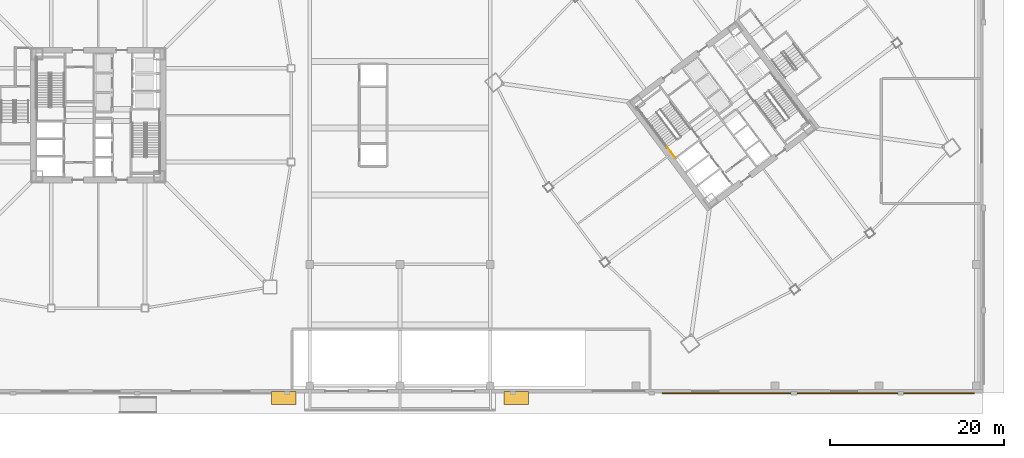
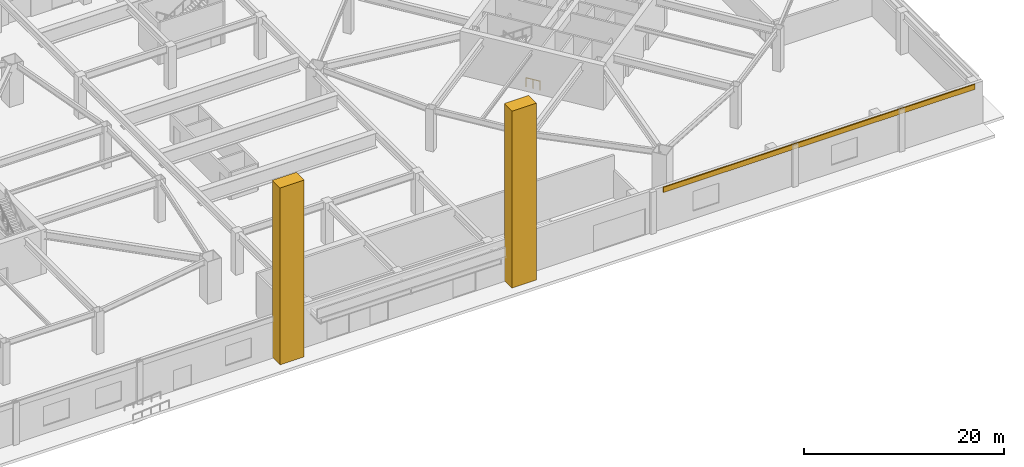
# One storey, part 22 of 26: 3 coverings, 1 railing.
"""IFC4 building model written with IfcOpenShell, lengths in metres."""

from ifc_helpers import new_model, si_unit, direction, frame, origin, origin_2d, place, context, subcontext, project, spatial, rectangle, extrude, material, layer, layer_set, type_object, element, save


model = new_model("IFC4")

# Units and contexts
model_context = context("Model", 3, precision=1e-05, world=origin(), true_north=direction((0.0, 1.0)))
body_context = subcontext(model_context, "Body", "Model", "MODEL_VIEW")
ifc_project = project(units=[si_unit("LENGTHUNIT", "METRE"), si_unit("AREAUNIT", "SQUARE_METRE"), si_unit("VOLUMEUNIT", "CUBIC_METRE"), si_unit("PLANEANGLEUNIT", "RADIAN"), si_unit("MASSUNIT", "GRAM", prefix="KILO")], contexts=[model_context])

# Site, building, storey
site_placement = place(None, origin())
site = spatial("IfcSite", under=ifc_project, at=site_placement, CompositionType="ELEMENT")
building_placement = place(site_placement, origin())
building = spatial("IfcBuilding", under=site, at=building_placement, Name="Tashvorn Skyway Center", CompositionType="ELEMENT")
storey_placement = place(building_placement, origin())
storey = spatial("IfcBuildingStorey", under=building, at=storey_placement, Name="L00", CompositionType="ELEMENT", Elevation=0.0)

# Coverings
ifc_material_1 = material(Name="Precast concrete C40/50", Category="concrete")
ifc_layer = layer(ifc_material_1, 0.35009765625)
ifc_layer_set = layer_set([ifc_layer], Name="Precast concrete C40/50")
covering_type = type_object("IfcCoveringType", Name="COV-STONE-TRIM", PredefinedType="CLADDING", material=ifc_layer_set)
covering_placement = place(storey_placement, frame((125.0, -0.0400390625, 4.52001953125), z_axis=(0.0, 0.0, 1.0), x_axis=(1.0, 0.0, 0.0)))
element("IfcCovering", 1, at=covering_placement, inside=storey, type_object=covering_type, Name="L00 Mojave Limestone Entablature Band S2", PredefinedType="CLADDING", context=body_context, shape_type="SweptSolid", body=[
    extrude(rectangle(XDim=36.0, YDim=0.139892578125, at=origin_2d()), origin(), (0.0, 0.0, 1.0), 0.6201171875),
])
for number, where, z_axis, x_axis, name in (
    (2, (63.39990234375, -0.60009765625, 0.0), (0.0, 0.0, 1.0), (1.0, 0.0, 0.0), "Postmodern Station Portal Limestone Pylon SOUTH 1"),
    (3, (90.199951171875, -0.60009765625, 0.0), (0.0, 0.0, 1.0), (1.0, 0.0, 0.0), "Postmodern Station Portal Limestone Pylon SOUTH 2"),
):
    element("IfcCovering", number, at=place(storey_placement, frame(where, z_axis=z_axis, x_axis=x_axis)), inside=storey, type_object=covering_type, Name=name, PredefinedType="CLADDING", context=body_context, shape_type="SweptSolid", body=[
        extrude(rectangle(XDim=2.800048828125, YDim=1.550048828125, at=origin_2d()), origin(), (0.0, 0.0, 1.0), 21.60009765625),
    ])

# Railing
ifc_material_2 = material(Name="Painted galvanized steel S355", Category="steel")
railing_type = type_object("IfcRailingType", Name="RAIL-STGUARD-1100", PredefinedType="GUARDRAIL", material=ifc_material_2)
railing_placement = place(storey_placement, frame((108.49609375, 27.1220703125, 0.0)))
element("IfcRailing", 4, at=railing_placement, inside=storey, type_object=railing_type, Name="L00 ST-T2-1 stair guard 6", PredefinedType="GUARDRAIL", context=body_context, shape_type="SweptSolid", body=[
    extrude(rectangle(XDim=0.048095703125, YDim=0.048095703125, at=origin_2d()), frame((0.0, 0.0, 1.076171875), z_axis=(-0.600102796382, 0.799922892393, 0.0), x_axis=(-0.799922892393, -0.600102796382, 0.0)), (0.0, 0.0, 1.0), 1.52001953125),
    extrude(rectangle(XDim=0.0419921875, YDim=0.0419921875, at=origin_2d()), origin(), (0.0, 0.0, 1.0), 1.052001953125),
    extrude(rectangle(XDim=0.0419921875, YDim=0.0419921875, at=origin_2d()), frame((-0.4560546875, 0.60791015625, 0.0)), (0.0, 0.0, 1.0), 1.052001953125),
    extrude(rectangle(XDim=0.0419921875, YDim=0.0419921875, at=origin_2d()), frame((-0.912109375, 1.2158203125, 0.0)), (0.0, 0.0, 1.0), 1.052001953125),
])

save(model, "model.ifc")
